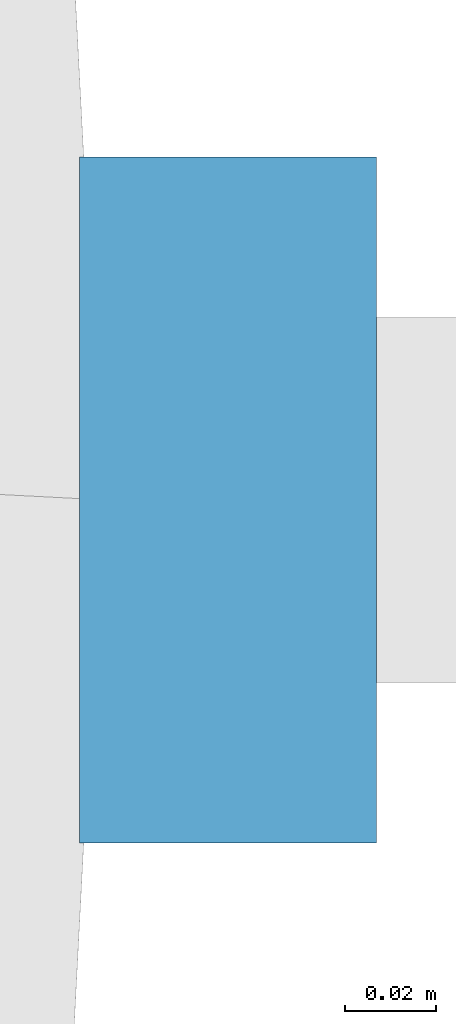
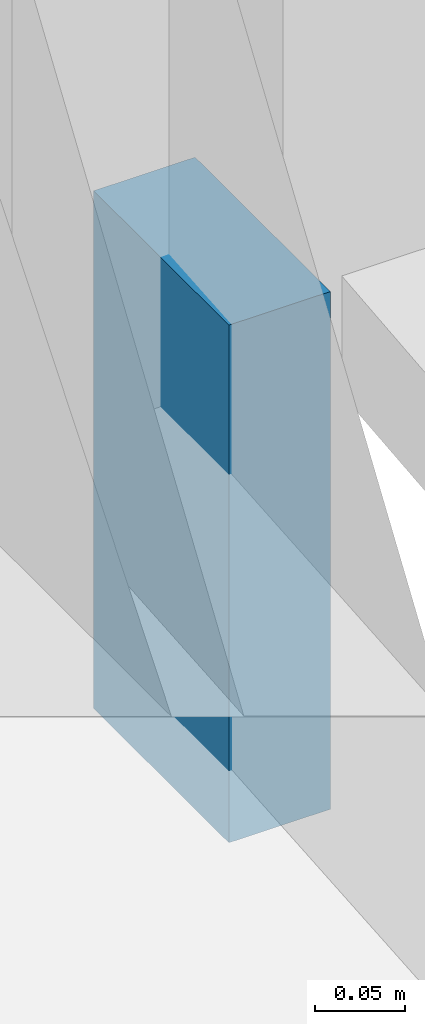
# One storey, part 16 of 20: 1 discrete accessory.
"""IFC4 building model written with IfcOpenShell, lengths in metres."""

from ifc_helpers import new_model, si_unit, direction, frame, origin, origin_2d, place, context, subcontext, project, spatial, rectangle, extrude, material, type_object, element, save


model = new_model("IFC4")

# Units and contexts
model_context = context("Model", 3, precision=1e-05, world=origin(), true_north=direction((0.0, 1.0)))
body_context = subcontext(model_context, "Body", "Model", "MODEL_VIEW")
ifc_project = project(units=[si_unit("LENGTHUNIT", "METRE"), si_unit("AREAUNIT", "SQUARE_METRE"), si_unit("VOLUMEUNIT", "CUBIC_METRE"), si_unit("PLANEANGLEUNIT", "RADIAN"), si_unit("MASSUNIT", "GRAM", prefix="KILO")], contexts=[model_context])

# Site, building, storey
site_placement = place(None, origin())
site = spatial("IfcSite", under=ifc_project, at=site_placement, CompositionType="ELEMENT")
building_placement = place(site_placement, origin())
building = spatial("IfcBuilding", under=site, at=building_placement, Name="Ghaith Harvest Tower", CompositionType="ELEMENT")
storey_placement = place(building_placement, frame((0.0, 0.0, 40.0)))
storey = spatial("IfcBuildingStorey", under=building, at=storey_placement, Name="L08", CompositionType="ELEMENT", Elevation=40.0)

# Discrete accessory
ifc_material = material(Name="Stainless steel grade 1.4401", Category="steel")
discrete_accessory_type = type_object("IfcDiscreteAccessoryType", Name="CURTAIN WALL BRACKET 65", PredefinedType="BRACKET", material=ifc_material)
discrete_accessory_placement = place(storey_placement, frame((34.152587890625, 0.0, -0.25), z_axis=(0.0, 0.0, 1.0), x_axis=(1.0, 0.0, 0.0)))
element("IfcDiscreteAccessory", 1, at=discrete_accessory_placement, inside=storey, type_object=discrete_accessory_type, Name="CW-F bracket 1 bay 01 L08", PredefinedType="BRACKET", context=body_context, shape_type="SweptSolid", body=[
    extrude(rectangle(XDim=0.06494140625, YDim=0.14990234375, at=origin_2d()), origin(), (0.0, 0.0, 1.0), 0.35009765625),
])

save(model, "model.ifc")
